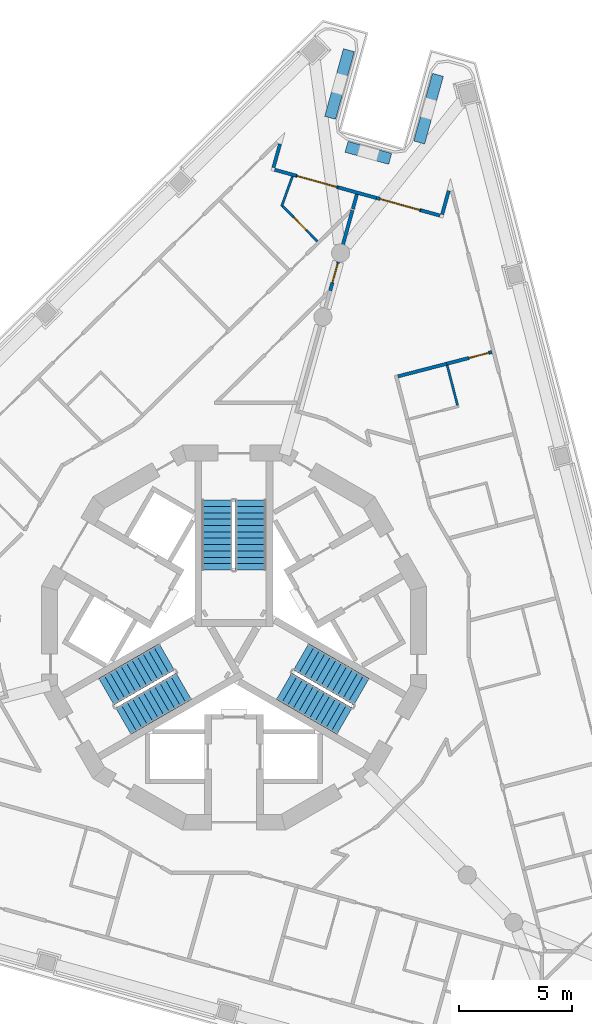
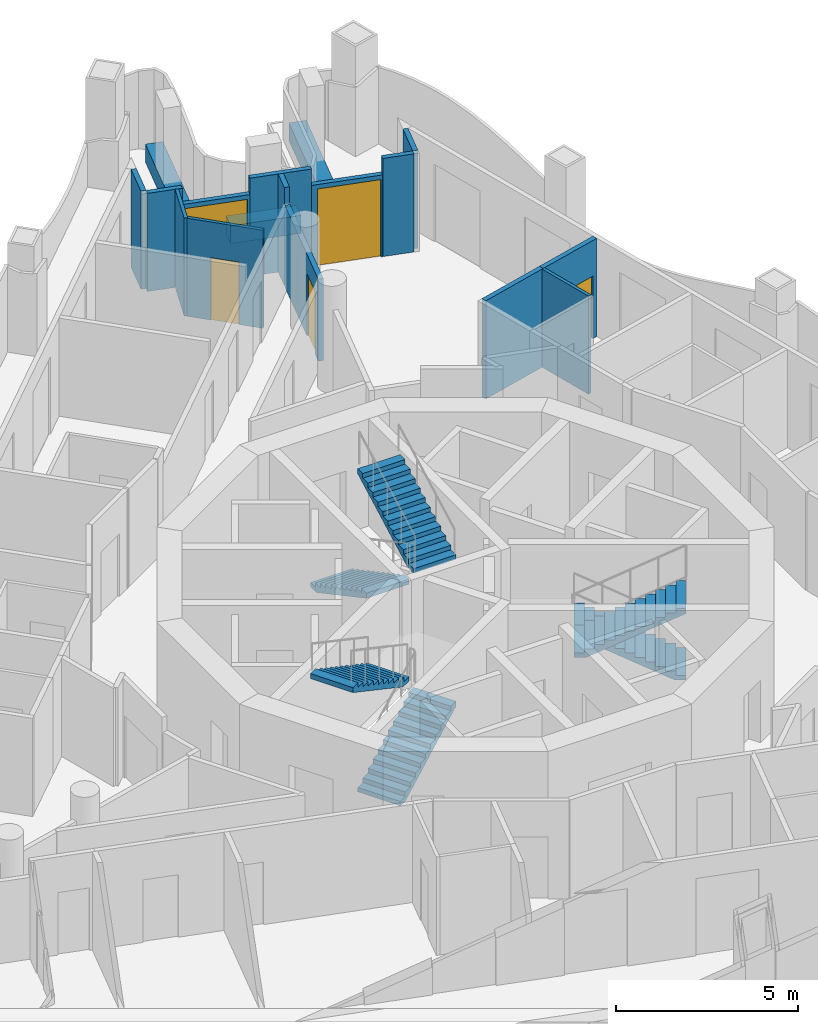
# One storey, part 8 of 14: 17 walls, 6 stair flights, 5 doors, 5 openings, 3 elements without a shape of their own.
"""IFC4 building model written with IfcOpenShell, lengths in metres."""

from ifc_helpers import new_model, si_unit, direction, frame, frame_2d, origin, place, context, subcontext, project, spatial, polyline, rectangle, outline, extrude, material, layer, layer_set, type_object, element, fill, aggregate, save


model = new_model("IFC4")

# Units and contexts
model_context = context("Model", 3, precision=1e-05, world=origin(), true_north=direction((0.0, 1.0)))
body_context = subcontext(model_context, "Body", "Model", "MODEL_VIEW")
ifc_project = project(units=[si_unit("LENGTHUNIT", "METRE"), si_unit("AREAUNIT", "SQUARE_METRE"), si_unit("VOLUMEUNIT", "CUBIC_METRE"), si_unit("PLANEANGLEUNIT", "RADIAN"), si_unit("MASSUNIT", "GRAM", prefix="KILO")], contexts=[model_context])

# Site, building, storey
site_placement = place(None, origin())
site = spatial("IfcSite", under=ifc_project, at=site_placement, CompositionType="ELEMENT")
building_placement = place(site_placement, origin())
building = spatial("IfcBuilding", under=site, at=building_placement, Name="Trine Commons Tower", CompositionType="ELEMENT")
storey_placement = place(building_placement, frame((0.0, 0.0, 245.699951171875)))
storey = spatial("IfcBuildingStorey", under=building, at=storey_placement, Name="L64", CompositionType="ELEMENT", Elevation=245.699951171875)

# Walls
ifc_material_1 = material(Name="Aluminium-framed insulated wall panel", Category="aluminium")
ifc_layer_1 = layer(ifc_material_1, 0.14990234375)
ifc_layer_set_1 = layer_set([ifc_layer_1], Name="Aluminium-framed insulated wall panel")
wall_type_1 = type_object("IfcWallType", Name="Glazed frame wall 150, EI 60", PredefinedType="SOLIDWALL", material=ifc_layer_set_1)
wall_1_placement = place(storey_placement, frame((82.07470703125, 84.444091796875, 0.0), z_axis=(0.0, 0.0, 1.0), x_axis=(-0.267185113528, -0.963645222636, 0.0)))
element("IfcWall", 1, at=wall_1_placement, inside=storey, type_object=wall_type_1, Name="Glazed frame wall R2", PredefinedType="SOLIDWALL", context=body_context, shape_type="SweptSolid", body=[
    extrude(outline(polyline([(0.1494140625, 0.074951171875), (0.1494140625, -0.074951171875), (1.235107421875, -0.074951171875), (1.235107421875, 0.074951171875), (0.1494140625, 0.074951171875)])), origin(), (0.0, 0.0, 1.0), 3.300048828125),
])
wall_2_placement = place(storey_placement, frame((81.69091796875, 83.19091796875, 0.0), z_axis=(0.0, 0.0, 1.0), x_axis=(0.963695763094, -0.267002764395, 0.0)))
element("IfcWall", 2, at=wall_2_placement, inside=storey, type_object=wall_type_1, Name="Glazed frame wall P1.1", PredefinedType="SOLIDWALL", context=body_context, shape_type="SweptSolid", body=[
    extrude(outline(polyline([(0.110107421875, -0.074951171875), (1.10009765625, -0.074951171875), (1.10009765625, 0.074951171875), (0.110107421875, 0.074951171875), (0.110107421875, -0.074951171875)])), origin(), (0.0, 0.0, 1.0), 3.300048828125),
])

# Wall, opening, door
wall_3_placement = place(storey_placement, frame((82.7509765625, 82.897216796875, 0.0), z_axis=(0.0, 0.0, 1.0), x_axis=(0.963605233176, -0.267329299921, 0.0)))
wall_3 = element("IfcWall", 3, at=wall_3_placement, inside=storey, type_object=wall_type_1, Name="Glazed frame wall P1.2", PredefinedType="SOLIDWALL", context=body_context, shape_type="SweptSolid", body=[
    extrude(outline(polyline([(0.0, -0.074951171875), (1.92138671875, -0.074951171875), (1.92138671875, 0.074951171875), (0.0, 0.074951171875), (0.0, -0.074951171875)])), origin(), (0.0, 0.0, 1.0), 2.75),
])
opening_1_placement = place(wall_3_placement, frame((0.050048828125, 0.0, 0.0)))
opening_1 = element("IfcOpeningElement", 4, at=opening_1_placement, cuts=wall_3, Name="Opening BD-7P1-01", PredefinedType="OPENING", context=body_context, shape_type="SweptSolid", body=[
    extrude(rectangle(XDim=1.800048828125, YDim=2.60009765625, at=frame_2d((0.89990234375, 1.300048828125))), frame((0.0, 0.0849609375, 0.0), z_axis=(0.0, -1.0, 0.0), x_axis=(1.0, 0.0, 0.0)), (0.0, 0.0, 1.0), 0.169921875),
])
ifc_material_2 = material(Name="Anodised aluminium frame with double glazing", Category="aluminium")
door_type_1 = type_object("IfcDoorType", Name="Sliding loggia door 1800x2600", OperationType="SLIDING_TO_LEFT", PredefinedType="DOOR", material=ifc_material_2)
door_1_placement = place(opening_1_placement, origin())
door_1 = element("IfcDoor", 5, at=door_1_placement, inside=storey, type_object=door_type_1, Name="Loggia door P1 1", OperationType="SLIDING_TO_LEFT", OverallHeight=2.60009765625, OverallWidth=1.800048828125, PredefinedType="DOOR", context=body_context, shape_type="SweptSolid", body=[
    extrude(rectangle(XDim=1.800048828125, YDim=2.60009765625, at=frame_2d((0.89990234375, 1.300048828125))), frame((0.0, 0.02490234375, 0.0), z_axis=(0.0, -1.0, 0.0), x_axis=(1.0, 0.0, 0.0)), (0.0, 0.0, 1.0), 0.050048828125),
])
fill(opening_1, door_1)

# Wall
wall_4_placement = place(storey_placement, frame((84.6025390625, 82.383544921875, 0.0), z_axis=(0.0, 0.0, 1.0), x_axis=(0.963649164221, -0.267170897174, 0.0)))
element("IfcWall", 6, at=wall_4_placement, inside=storey, type_object=wall_type_1, Name="Glazed frame wall P1.3", PredefinedType="SOLIDWALL", context=body_context, shape_type="SweptSolid", body=[
    extrude(outline(polyline([(0.0, -0.074951171875), (1.757080078125, -0.074951171875), (1.757080078125, 0.074951171875), (0.0, 0.074951171875), (0.0, -0.074951171875)])), origin(), (0.0, 0.0, 1.0), 3.300048828125),
])

# Wall, opening, door
wall_5_placement = place(storey_placement, frame((86.2958984375, 81.9140625, 0.0), z_axis=(0.0, 0.0, 1.0), x_axis=(0.963614750545, -0.267294991596, 0.0)))
wall_5 = element("IfcWall", 7, at=wall_5_placement, inside=storey, type_object=wall_type_1, Name="Glazed frame wall P1.4", PredefinedType="SOLIDWALL", context=body_context, shape_type="SweptSolid", body=[
    extrude(outline(polyline([(0.0, -0.074951171875), (2.021484375, -0.074951171875), (2.021484375, 0.074951171875), (0.0, 0.074951171875), (0.0, -0.074951171875)])), origin(), (0.0, 0.0, 1.0), 2.75),
])
opening_2_placement = place(wall_5_placement, frame((0.17138671875, 0.0, 0.0)))
opening_2 = element("IfcOpeningElement", 8, at=opening_2_placement, cuts=wall_5, Name="Opening BD-7P1-02", PredefinedType="OPENING", context=body_context, shape_type="SweptSolid", body=[
    extrude(rectangle(XDim=1.800048828125, YDim=2.60009765625, at=frame_2d((0.89990234375, 1.300048828125))), frame((0.0, 0.0849609375, 0.0), z_axis=(0.0, -1.0, 0.0), x_axis=(1.0, 0.0, 0.0)), (0.0, 0.0, 1.0), 0.169921875),
])
door_2_placement = place(opening_2_placement, origin())
door_2 = element("IfcDoor", 9, at=door_2_placement, inside=storey, type_object=door_type_1, Name="Loggia door P1 2", OperationType="SLIDING_TO_LEFT", OverallHeight=2.60009765625, OverallWidth=1.800048828125, PredefinedType="DOOR", context=body_context, shape_type="SweptSolid", body=[
    extrude(rectangle(XDim=1.800048828125, YDim=2.60009765625, at=frame_2d((0.89990234375, 1.300048828125))), frame((0.0, 0.02490234375, 0.0), z_axis=(0.0, -1.0, 0.0), x_axis=(1.0, 0.0, 0.0)), (0.0, 0.0, 1.0), 0.050048828125),
])
fill(opening_2, door_2)

# Walls
wall_6_placement = place(storey_placement, frame((88.24365234375, 81.373779296875, 0.0), z_axis=(0.0, 0.0, 1.0), x_axis=(0.963668166343, -0.267102349627, 0.0)))
element("IfcWall", 10, at=wall_6_placement, inside=storey, type_object=wall_type_1, Name="Glazed frame wall P1.5", PredefinedType="SOLIDWALL", context=body_context, shape_type="SweptSolid", body=[
    extrude(outline(polyline([(0.889892578125, 0.074951171875), (0.0, 0.074951171875), (0.0, -0.074951171875), (0.889892578125, -0.074951171875), (0.889892578125, 0.074951171875)])), origin(), (0.0, 0.0, 1.0), 3.300048828125),
])
wall_7_placement = place(storey_placement, frame((89.164306640625, 81.082275390625, 0.0), z_axis=(0.0, 0.0, 1.0), x_axis=(0.267185113528, 0.963645222636, 0.0)))
element("IfcWall", 11, at=wall_7_placement, inside=storey, type_object=wall_type_1, Name="Glazed frame wall R4", PredefinedType="SOLIDWALL", context=body_context, shape_type="SweptSolid", body=[
    extrude(outline(polyline([(0.110107421875, 0.074951171875), (0.110107421875, -0.074951171875), (1.19580078125, -0.074951171875), (1.19580078125, 0.074951171875), (0.110107421875, 0.074951171875)])), origin(), (0.0, 0.0, 1.0), 3.300048828125),
])
ifc_material_3 = material(Name="Planter trough, precast concrete C40/50", Category="concrete")
ifc_layer_2 = layer(ifc_material_3, 0.5)
ifc_layer_set_2 = layer_set([ifc_layer_2], Name="Planter trough, precast concrete C40/50")
wall_type_2 = type_object("IfcWallType", Name="Planter trough 500x600", PredefinedType="PARAPET", material=ifc_layer_set_2)
wall_8_placement = place(storey_placement, frame((85.077392578125, 88.44189453125, 0.0), z_axis=(0.0, 0.0, 1.0), x_axis=(-0.267286412249, -0.96361713031, 0.0)))
element("IfcWall", 12, at=wall_8_placement, inside=storey, type_object=wall_type_2, Name="Planter 4", PredefinedType="PARAPET", context=body_context, shape_type="SweptSolid", body=[
    extrude(rectangle(XDim=3.10009765625, YDim=0.5, at=frame_2d((1.550048828125, 0.0))), origin(), (0.0, 0.0, 1.0), 0.60009765625),
])
wall_9_placement = place(storey_placement, frame((84.97314453125, 84.174560546875, 0.0), z_axis=(0.0, 0.0, 1.0), x_axis=(0.963636738571, -0.267215710759, 0.0)))
element("IfcWall", 13, at=wall_9_placement, inside=storey, type_object=wall_type_2, Name="Planter 5", PredefinedType="PARAPET", context=body_context, shape_type="SweptSolid", body=[
    extrude(rectangle(XDim=2.0, YDim=0.5, at=frame_2d((1.0, 0.0))), origin(), (0.0, 0.0, 1.0), 0.60009765625),
])
wall_10_placement = place(storey_placement, frame((88.1806640625, 84.364501953125, 0.0), z_axis=(0.0, 0.0, 1.0), x_axis=(0.267213283561, 0.963637411628, 0.0)))
element("IfcWall", 14, at=wall_10_placement, inside=storey, type_object=wall_type_2, Name="Planter 6", PredefinedType="PARAPET", context=body_context, shape_type="SweptSolid", body=[
    extrude(rectangle(XDim=3.10009765625, YDim=0.5, at=frame_2d((1.550048828125, 0.0))), origin(), (0.0, 0.0, 1.0), 0.60009765625),
])

# Wall, opening, door
ifc_material_4 = material(Name="Gypsum plasterboard on steel stud", Category="steel")
ifc_layer_3 = layer(ifc_material_4, 0.14990234375)
ifc_layer_set_3 = layer_set([ifc_layer_3], Name="Gypsum plasterboard on steel stud")
wall_type_3 = type_object("IfcWallType", Name="Unit and corridor wall 150 mm, EI 60", PredefinedType="PARTITIONING", material=ifc_layer_set_3)
wall_11_placement = place(storey_placement, frame((84.25, 77.826904296875, 0.0), z_axis=(0.0, 0.0, 1.0), x_axis=(0.267414329718, 0.963581639645, 0.0)))
wall_11 = element("IfcWall", 15, at=wall_11_placement, inside=storey, type_object=wall_type_3, Name="Partition 062", PredefinedType="PARTITIONING", context=body_context, shape_type="SweptSolid", body=[
    extrude(rectangle(XDim=3.675537109375, YDim=0.14990234375, at=frame_2d((1.837890625, 0.0))), origin(), (0.0, 0.0, 1.0), 2.75),
])
opening_3_placement = place(wall_11_placement, frame((0.357421875, 0.0, 0.0)))
opening_3 = element("IfcOpeningElement", 16, at=opening_3_placement, cuts=wall_11, Name="Opening D-7B01", PredefinedType="OPENING", context=body_context, shape_type="SweptSolid", body=[
    extrude(rectangle(XDim=0.89990234375, YDim=2.10009765625, at=frame_2d((0.449951171875, 1.050048828125))), frame((0.0, 0.0849609375, 0.0), z_axis=(0.0, -1.0, 0.0), x_axis=(1.0, 0.0, 0.0)), (0.0, 0.0, 1.0), 0.169921875),
])
ifc_material_5 = material(Name="Timber fire door set", Category="wood")
door_type_2 = type_object("IfcDoorType", Name="Cluster entrance door 900 x 2100, FD30S", OperationType="NOTDEFINED", PredefinedType="DOOR", material=ifc_material_5)
door_3_placement = place(opening_3_placement, frame((0.89990234375, 0.0, 0.0), z_axis=(0.0, 0.0, 1.0), x_axis=(-1.0, 0.0, 0.0)))
door_3 = element("IfcDoor", 17, at=door_3_placement, inside=storey, type_object=door_type_2, Name="Door D-7B01", OperationType="SINGLE_SWING_RIGHT", OverallHeight=2.10009765625, OverallWidth=0.89990234375, PredefinedType="DOOR", context=body_context, shape_type="SweptSolid", body=[
    extrude(rectangle(XDim=0.89990234375, YDim=2.10009765625, at=frame_2d((0.449951171875, 1.050048828125))), frame((0.0, 0.02490234375, 0.0), z_axis=(0.0, -1.0, 0.0), x_axis=(1.0, 0.0, 0.0)), (0.0, 0.0, 1.0), 0.050048828125),
])
fill(opening_3, door_3)

# Walls
wall_12_placement = place(storey_placement, frame((85.25, 81.429931640625, 0.0), z_axis=(0.0, 0.0, 1.0), x_axis=(0.267118275652, 0.963663751945, 0.0)))
element("IfcWall", 18, at=wall_12_placement, inside=storey, type_object=wall_type_3, Name="Partition 067", PredefinedType="PARTITIONING", context=body_context, shape_type="SweptSolid", body=[
    extrude(rectangle(XDim=0.6708984375, YDim=0.14990234375, at=frame_2d((0.33544921875, 0.0))), origin(), (0.0, 0.0, 1.0), 3.300048828125),
])
wall_13_placement = place(storey_placement, frame((87.24462890625, 74.038818359375, 0.0), z_axis=(0.0, 0.0, 1.0), x_axis=(0.968111523226, 0.250519617189, 0.0)))
element("IfcWall", 19, at=wall_13_placement, inside=storey, type_object=wall_type_3, Name="Partition 073", PredefinedType="PARTITIONING", context=body_context, shape_type="SweptSolid", body=[
    extrude(rectangle(XDim=2.278564453125, YDim=0.14990234375, at=frame_2d((1.13916015625, 0.0))), origin(), (0.0, 0.0, 1.0), 3.300048828125),
])

# Wall, opening, door
wall_14_placement = place(storey_placement, frame((89.39404296875, 74.594970703125, 0.0), z_axis=(0.0, 0.0, 1.0), x_axis=(0.968142464443, 0.250400017058, 0.0)))
wall_14 = element("IfcWall", 20, at=wall_14_placement, inside=storey, type_object=wall_type_3, Name="Partition 089", PredefinedType="PARTITIONING", context=body_context, shape_type="SweptSolid", body=[
    extrude(rectangle(XDim=2.06494140625, YDim=0.14990234375, at=frame_2d((1.032470703125, 0.0))), origin(), (0.0, 0.0, 1.0), 3.300048828125),
])
opening_4_placement = place(wall_14_placement, frame((1.01513671875, 0.0, 0.0)))
opening_4 = element("IfcOpeningElement", 21, at=opening_4_placement, cuts=wall_14, Name="Opening D-7B10", PredefinedType="OPENING", context=body_context, shape_type="SweptSolid", body=[
    extrude(rectangle(XDim=0.89990234375, YDim=2.10009765625, at=frame_2d((0.449951171875, 1.050048828125))), frame((0.0, 0.0849609375, 0.0), z_axis=(0.0, -1.0, 0.0), x_axis=(1.0, 0.0, 0.0)), (0.0, 0.0, 1.0), 0.169921875),
])
door_type_3 = type_object("IfcDoorType", Name="Bedroom door 900 x 2100, FD30S", OperationType="NOTDEFINED", PredefinedType="DOOR", material=ifc_material_5)
door_4_placement = place(opening_4_placement, frame((0.89990234375, 0.0, 0.0), z_axis=(0.0, 0.0, 1.0), x_axis=(-1.0, 0.0, 0.0)))
door_4 = element("IfcDoor", 22, at=door_4_placement, inside=storey, type_object=door_type_3, Name="Door D-7B10", OperationType="SINGLE_SWING_LEFT", OverallHeight=2.10009765625, OverallWidth=0.89990234375, PredefinedType="DOOR", context=body_context, shape_type="SweptSolid", body=[
    extrude(rectangle(XDim=0.89990234375, YDim=2.10009765625, at=frame_2d((0.449951171875, 1.050048828125))), frame((0.0, 0.02490234375, 0.0), z_axis=(0.0, -1.0, 0.0), x_axis=(1.0, 0.0, 0.0)), (0.0, 0.0, 1.0), 0.050048828125),
])
fill(opening_4, door_4)

# Wall
ifc_layer_4 = layer(ifc_material_4, 0.10009765625)
ifc_layer_set_4 = layer_set([ifc_layer_4], Name="Gypsum plasterboard on steel stud")
wall_type_4 = type_object("IfcWallType", Name="Unit partition 100 mm, no rating", PredefinedType="PARTITIONING", material=ifc_layer_set_4)
wall_15_placement = place(storey_placement, frame((82.10498046875, 81.5419921875, 0.0), z_axis=(0.0, 0.0, 1.0), x_axis=(0.339793564438, 0.940500044427, 0.0)))
element("IfcWall", 23, at=wall_15_placement, inside=storey, type_object=wall_type_4, Name="Partition 051", PredefinedType="PARTITIONING", context=body_context, shape_type="SweptSolid", body=[
    extrude(rectangle(XDim=1.408203125, YDim=0.10009765625, at=frame_2d((0.7041015625, 0.0))), origin(), (0.0, 0.0, 1.0), 3.300048828125),
])

# Wall, opening, door
wall_16_placement = place(storey_placement, frame((82.156982421875, 81.55322265625, 0.0), z_axis=(0.0, 0.0, 1.0), x_axis=(0.700793702446, -0.713363993073, 0.0)))
wall_16 = element("IfcWall", 24, at=wall_16_placement, inside=storey, type_object=wall_type_4, Name="Partition 052", PredefinedType="PARTITIONING", context=body_context, shape_type="SweptSolid", body=[
    extrude(rectangle(XDim=2.17529296875, YDim=0.10009765625, at=frame_2d((1.087646484375, 0.0))), origin(), (0.0, 0.0, 1.0), 3.300048828125),
])
opening_5_placement = place(wall_16_placement, frame((0.6875, 0.0, 0.0)))
opening_5 = element("IfcOpeningElement", 25, at=opening_5_placement, cuts=wall_16, Name="Opening D-7B29", PredefinedType="OPENING", context=body_context, shape_type="SweptSolid", body=[
    extrude(rectangle(XDim=0.800048828125, YDim=2.10009765625, at=frame_2d((0.39990234375, 1.050048828125))), frame((0.0, 0.06005859375, 0.0), z_axis=(0.0, -1.0, 0.0), x_axis=(1.0, 0.0, 0.0)), (0.0, 0.0, 1.0), 0.1201171875),
])
ifc_material_6 = material(Name="Painted timber", Category="wood")
door_type_4 = type_object("IfcDoorType", Name="Internal door 800 x 2100, NOT RATED", OperationType="NOTDEFINED", PredefinedType="DOOR", material=ifc_material_6)
door_5_placement = place(opening_5_placement, frame((0.800048828125, 0.0, 0.0), z_axis=(0.0, 0.0, 1.0), x_axis=(-1.0, 0.0, 0.0)))
door_5 = element("IfcDoor", 26, at=door_5_placement, inside=storey, type_object=door_type_4, Name="Door D-7B29", OperationType="SINGLE_SWING_RIGHT", OverallHeight=2.10009765625, OverallWidth=0.800048828125, PredefinedType="DOOR", context=body_context, shape_type="SweptSolid", body=[
    extrude(rectangle(XDim=0.800048828125, YDim=2.10009765625, at=frame_2d((0.39990234375, 1.050048828125))), frame((0.0, 0.02490234375, 0.0), z_axis=(0.0, -1.0, 0.0), x_axis=(1.0, 0.0, 0.0)), (0.0, 0.0, 1.0), 0.050048828125),
])
fill(opening_5, door_5)

# Wall
wall_17_placement = place(storey_placement, frame((89.416748046875, 74.5234375, 0.0), z_axis=(0.0, 0.0, 1.0), x_axis=(0.250771850977, -0.968046217263, 0.0)))
element("IfcWall", 27, at=wall_17_placement, inside=storey, type_object=wall_type_4, Name="Partition 090", PredefinedType="PARTITIONING", context=body_context, shape_type="SweptSolid", body=[
    extrude(rectangle(XDim=1.825439453125, YDim=0.10009765625, at=frame_2d((0.91259765625, 0.0))), origin(), (0.0, 0.0, 1.0), 3.300048828125),
])

# Stair, stair flights
ifc_material_7 = material(Name="Concrete C50/60", Category="concrete")
stair_type = type_object("IfcStairType", Name="Exit stair, dog-leg, 24 risers of 150 mm", PredefinedType="HALF_TURN_STAIR", material=ifc_material_7)
stair_1_placement = place(storey_placement, origin())
stair_1 = element("IfcStair", 28, at=stair_1_placement, inside=storey, type_object=stair_type, Name="L64 Exit stair ST1C", PredefinedType="HALF_TURN_STAIR")
stair_flight_type = type_object("IfcStairFlightType", Name="Stair flight, 1350 wide, 12 risers of 150 mm", PredefinedType="STRAIGHT", material=ifc_material_7)
stair_flight_1_placement = place(storey_placement, frame((79.25, 68.570556640625, 0.0), z_axis=(0.0, 0.0, 1.0), x_axis=(0.0, -1.0, 0.0)))
stair_flight_1 = element("IfcStairFlight", 29, at=stair_flight_1_placement, type_object=stair_flight_type, Name="ST1C flight 1", NumberOfRisers=12, NumberOfTreads=11, PredefinedType="STRAIGHT", RiserHeight=0.15, TreadLength=0.28, context=body_context, shape_type="SweptSolid", body=[
    extrude(outline(polyline([(0.0, 0.0), (0.0, 0.14990234375), (0.280029296875, 0.14990234375), (0.280029296875, 0.300048828125), (0.56005859375, 0.300048828125), (0.56005859375, 0.449951171875), (0.840087890625, 0.449951171875), (0.840087890625, 0.60009765625), (1.1201171875, 0.60009765625), (1.1201171875, 0.75), (1.39990234375, 0.75), (1.39990234375, 0.89990234375), (1.679931640625, 0.89990234375), (1.679931640625, 1.050048828125), (1.9599609375, 1.050048828125), (1.9599609375, 1.199951171875), (2.239990234375, 1.199951171875), (2.239990234375, 1.35009765625), (2.52001953125, 1.35009765625), (2.52001953125, 1.5), (2.800048828125, 1.5), (2.800048828125, 1.64990234375), (3.080078125, 1.64990234375), (3.080078125, 1.800048828125), (3.080078125, 1.47998046875), (0.3173828125, 0.0), (0.0, 0.0)])), frame((0.0, 0.675048828125, 0.0), z_axis=(0.0, -1.0, 0.0), x_axis=(1.0, 0.0, 0.0)), (0.0, 0.0, 1.0), 1.35009765625),
])
stair_flight_2_placement = place(storey_placement, frame((80.75, 65.490478515625, 1.800048828125), z_axis=(0.0, 0.0, 1.0), x_axis=(0.0, 1.0, 0.0)))
stair_flight_2 = element("IfcStairFlight", 30, at=stair_flight_2_placement, type_object=stair_flight_type, Name="ST1C flight 2", NumberOfRisers=12, NumberOfTreads=11, PredefinedType="STRAIGHT", RiserHeight=0.15, TreadLength=0.28, context=body_context, shape_type="SweptSolid", body=[
    extrude(outline(polyline([(0.0, 0.0), (0.0, 0.14990234375), (0.280029296875, 0.14990234375), (0.280029296875, 0.300048828125), (0.56005859375, 0.300048828125), (0.56005859375, 0.449951171875), (0.840087890625, 0.449951171875), (0.840087890625, 0.60009765625), (1.1201171875, 0.60009765625), (1.1201171875, 0.75), (1.39990234375, 0.75), (1.39990234375, 0.89990234375), (1.679931640625, 0.89990234375), (1.679931640625, 1.050048828125), (1.9599609375, 1.050048828125), (1.9599609375, 1.199951171875), (2.239990234375, 1.199951171875), (2.239990234375, 1.35009765625), (2.52001953125, 1.35009765625), (2.52001953125, 1.5), (2.800048828125, 1.5), (2.800048828125, 1.64990234375), (3.080078125, 1.64990234375), (3.080078125, 1.800048828125), (3.080078125, 1.47998046875), (0.3173828125, 0.0), (0.0, 0.0)])), frame((0.0, 0.675048828125, 0.0), z_axis=(0.0, -1.0, 0.0), x_axis=(1.0, 0.0, 0.0)), (0.0, 0.0, 1.0), 1.35009765625),
])
aggregate(stair_1, [stair_flight_1, stair_flight_2])

stair_2_placement = place(storey_placement, origin())
stair_2 = element("IfcStair", 31, at=stair_2_placement, inside=storey, type_object=stair_type, Name="L64 Exit stair ST2C", PredefinedType="HALF_TURN_STAIR")
stair_flight_3_placement = place(storey_placement, frame((75.11767578125, 58.815185546875, 0.0), z_axis=(0.0, 0.0, 1.0), x_axis=(0.866025403784, 0.5, 0.0)))
stair_flight_3 = element("IfcStairFlight", 32, at=stair_flight_3_placement, type_object=stair_flight_type, Name="ST2C flight 1", NumberOfRisers=12, NumberOfTreads=11, PredefinedType="STRAIGHT", RiserHeight=0.15, TreadLength=0.28, context=body_context, shape_type="SweptSolid", body=[
    extrude(outline(polyline([(0.0, 0.0), (0.0, 0.14990234375), (0.280029296875, 0.14990234375), (0.280029296875, 0.300048828125), (0.56005859375, 0.300048828125), (0.56005859375, 0.449951171875), (0.840087890625, 0.449951171875), (0.840087890625, 0.60009765625), (1.1201171875, 0.60009765625), (1.1201171875, 0.75), (1.39990234375, 0.75), (1.39990234375, 0.89990234375), (1.679931640625, 0.89990234375), (1.679931640625, 1.050048828125), (1.9599609375, 1.050048828125), (1.9599609375, 1.199951171875), (2.239990234375, 1.199951171875), (2.239990234375, 1.35009765625), (2.52001953125, 1.35009765625), (2.52001953125, 1.5), (2.800048828125, 1.5), (2.800048828125, 1.64990234375), (3.080078125, 1.64990234375), (3.080078125, 1.800048828125), (3.080078125, 1.47998046875), (0.3173828125, 0.0), (0.0, 0.0)])), frame((0.0, 0.675048828125, 0.0), z_axis=(0.0, -1.0, 0.0), x_axis=(1.0, 0.0, 0.0)), (0.0, 0.0, 1.0), 1.35009765625),
])
stair_flight_4_placement = place(storey_placement, frame((77.03515625, 61.654296875, 1.800048828125), z_axis=(0.0, 0.0, 1.0), x_axis=(-0.866025403784, -0.5, 0.0)))
stair_flight_4 = element("IfcStairFlight", 33, at=stair_flight_4_placement, type_object=stair_flight_type, Name="ST2C flight 2", NumberOfRisers=12, NumberOfTreads=11, PredefinedType="STRAIGHT", RiserHeight=0.15, TreadLength=0.28, context=body_context, shape_type="SweptSolid", body=[
    extrude(outline(polyline([(0.0, 0.0), (0.0, 0.14990234375), (0.280029296875, 0.14990234375), (0.280029296875, 0.300048828125), (0.56005859375, 0.300048828125), (0.56005859375, 0.449951171875), (0.840087890625, 0.449951171875), (0.840087890625, 0.60009765625), (1.1201171875, 0.60009765625), (1.1201171875, 0.75), (1.39990234375, 0.75), (1.39990234375, 0.89990234375), (1.679931640625, 0.89990234375), (1.679931640625, 1.050048828125), (1.9599609375, 1.050048828125), (1.9599609375, 1.199951171875), (2.239990234375, 1.199951171875), (2.239990234375, 1.35009765625), (2.52001953125, 1.35009765625), (2.52001953125, 1.5), (2.800048828125, 1.5), (2.800048828125, 1.64990234375), (3.080078125, 1.64990234375), (3.080078125, 1.800048828125), (3.080078125, 1.47998046875), (0.3173828125, 0.0), (0.0, 0.0)])), frame((0.0, 0.675048828125, 0.0), z_axis=(0.0, -1.0, 0.0), x_axis=(1.0, 0.0, 0.0)), (0.0, 0.0, 1.0), 1.35009765625),
])
aggregate(stair_2, [stair_flight_3, stair_flight_4])

stair_3_placement = place(storey_placement, origin())
stair_3 = element("IfcStair", 34, at=stair_3_placement, inside=storey, type_object=stair_type, Name="L64 Exit stair ST3C", PredefinedType="HALF_TURN_STAIR")
stair_flight_5_placement = place(storey_placement, frame((85.63232421875, 60.1142578125, 0.0), z_axis=(0.0, 0.0, 1.0), x_axis=(-0.866025403784, 0.5, 0.0)))
stair_flight_5 = element("IfcStairFlight", 35, at=stair_flight_5_placement, type_object=stair_flight_type, Name="ST3C flight 1", NumberOfRisers=12, NumberOfTreads=11, PredefinedType="STRAIGHT", RiserHeight=0.15, TreadLength=0.28, context=body_context, shape_type="SweptSolid", body=[
    extrude(outline(polyline([(0.0, 0.0), (0.0, 0.14990234375), (0.280029296875, 0.14990234375), (0.280029296875, 0.300048828125), (0.56005859375, 0.300048828125), (0.56005859375, 0.449951171875), (0.840087890625, 0.449951171875), (0.840087890625, 0.60009765625), (1.1201171875, 0.60009765625), (1.1201171875, 0.75), (1.39990234375, 0.75), (1.39990234375, 0.89990234375), (1.679931640625, 0.89990234375), (1.679931640625, 1.050048828125), (1.9599609375, 1.050048828125), (1.9599609375, 1.199951171875), (2.239990234375, 1.199951171875), (2.239990234375, 1.35009765625), (2.52001953125, 1.35009765625), (2.52001953125, 1.5), (2.800048828125, 1.5), (2.800048828125, 1.64990234375), (3.080078125, 1.64990234375), (3.080078125, 1.800048828125), (3.080078125, 1.47998046875), (0.3173828125, 0.0), (0.0, 0.0)])), frame((0.0, 0.675048828125, 0.0), z_axis=(0.0, -1.0, 0.0), x_axis=(1.0, 0.0, 0.0)), (0.0, 0.0, 1.0), 1.35009765625),
])
stair_flight_6_placement = place(storey_placement, frame((82.21484375, 60.355224609375, 1.800048828125), z_axis=(0.0, 0.0, 1.0), x_axis=(0.866025403784, -0.5, 0.0)))
stair_flight_6 = element("IfcStairFlight", 36, at=stair_flight_6_placement, type_object=stair_flight_type, Name="ST3C flight 2", NumberOfRisers=12, NumberOfTreads=11, PredefinedType="STRAIGHT", RiserHeight=0.15, TreadLength=0.28, context=body_context, shape_type="SweptSolid", body=[
    extrude(outline(polyline([(0.0, 0.0), (0.0, 0.14990234375), (0.280029296875, 0.14990234375), (0.280029296875, 0.300048828125), (0.56005859375, 0.300048828125), (0.56005859375, 0.449951171875), (0.840087890625, 0.449951171875), (0.840087890625, 0.60009765625), (1.1201171875, 0.60009765625), (1.1201171875, 0.75), (1.39990234375, 0.75), (1.39990234375, 0.89990234375), (1.679931640625, 0.89990234375), (1.679931640625, 1.050048828125), (1.9599609375, 1.050048828125), (1.9599609375, 1.199951171875), (2.239990234375, 1.199951171875), (2.239990234375, 1.35009765625), (2.52001953125, 1.35009765625), (2.52001953125, 1.5), (2.800048828125, 1.5), (2.800048828125, 1.64990234375), (3.080078125, 1.64990234375), (3.080078125, 1.800048828125), (3.080078125, 1.47998046875), (0.3173828125, 0.0), (0.0, 0.0)])), frame((0.0, 0.675048828125, 0.0), z_axis=(0.0, -1.0, 0.0), x_axis=(1.0, 0.0, 0.0)), (0.0, 0.0, 1.0), 1.35009765625),
])
aggregate(stair_3, [stair_flight_5, stair_flight_6])

save(model, "model.ifc")
